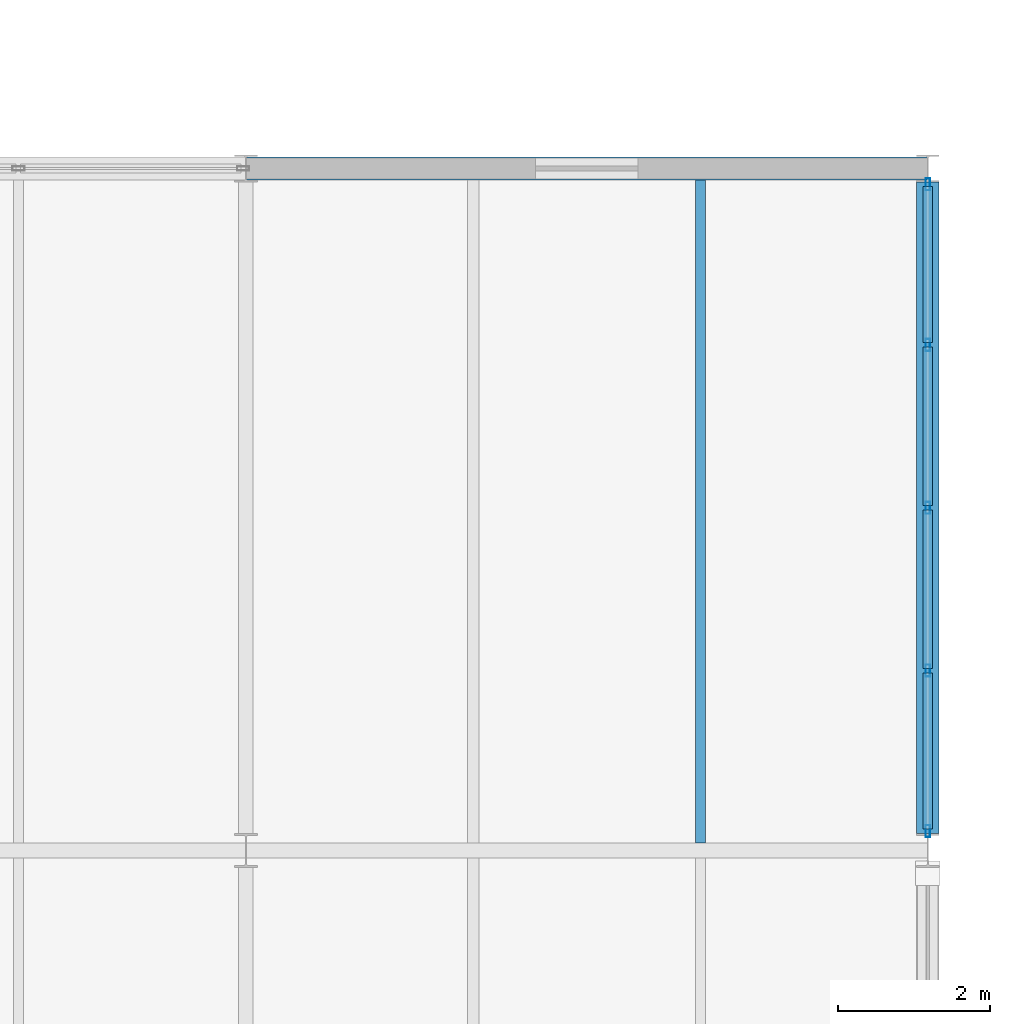
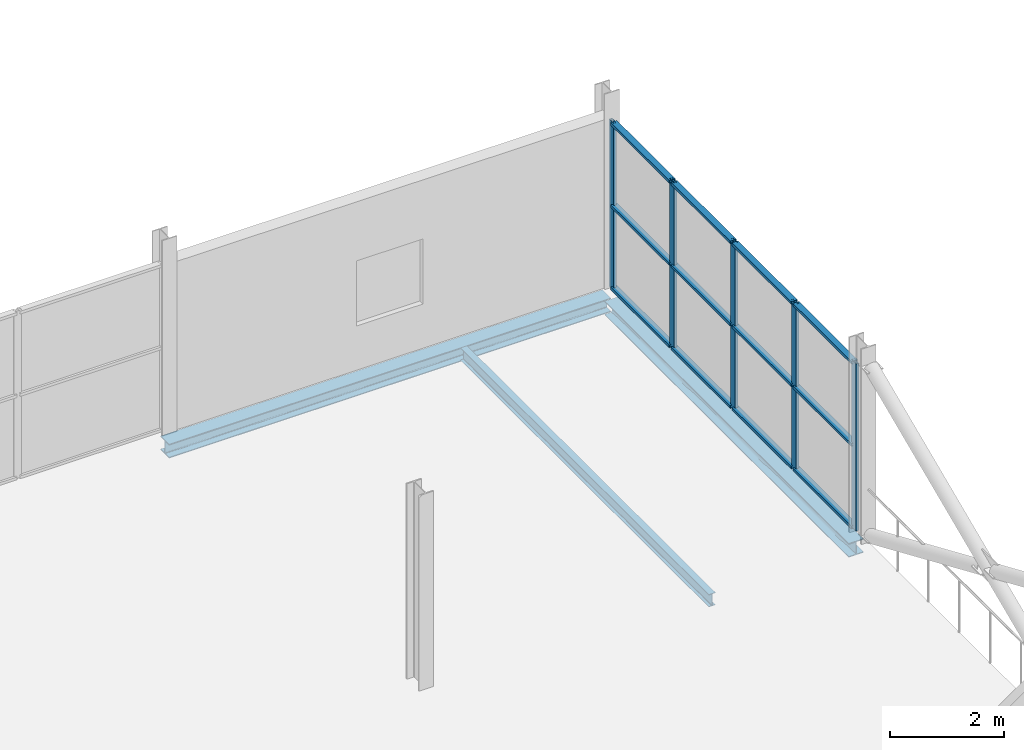
# One storey, part 100 of 135: 17 members, 3 beams, 1 element without a shape of its own.
"""IFC4 building model written with IfcOpenShell, lengths in metres."""

from ifc_helpers import new_model, si_unit, direction, frame, origin, origin_2d, place, context, subcontext, project, spatial, hollow_rectangle, i_section, extrude, material, layer, layer_set, material_profile, profile_set, type_object, element, aggregate, save


model = new_model("IFC4")

# Units and contexts
model_context = context("Model", 3, precision=1e-05, world=origin(), true_north=direction((0.0, 1.0)))
body_context = subcontext(model_context, "Body", "Model", "MODEL_VIEW")
ifc_project = project(units=[si_unit("LENGTHUNIT", "METRE"), si_unit("AREAUNIT", "SQUARE_METRE"), si_unit("VOLUMEUNIT", "CUBIC_METRE"), si_unit("PLANEANGLEUNIT", "RADIAN"), si_unit("MASSUNIT", "GRAM", prefix="KILO")], contexts=[model_context])

# Site, building, storey
site_placement = place(None, origin())
site = spatial("IfcSite", under=ifc_project, at=site_placement, CompositionType="ELEMENT")
building_placement = place(site_placement, origin())
building = spatial("IfcBuilding", under=site, at=building_placement, Name="Deido Ridge Mobility Hub", CompositionType="ELEMENT")
storey_placement = place(building_placement, frame((0.0, 0.0, 4.199951171875)))
storey = spatial("IfcBuildingStorey", under=building, at=storey_placement, Name="L01", CompositionType="ELEMENT", Elevation=4.199951171875)

# Beam
ifc_material_1 = material(Name="Steel S355J2 EN 10025-2", Category="steel")
ifc_material_profile_1 = material_profile(ifc_material_1, i_section(OverallWidth=0.135009765625, OverallDepth=0.27001953125, WebThickness=0.006591796875, FlangeThickness=0.01025390625, FilletRadius=0.014892578125, at=origin_2d()), Name="IPE 270")
ifc_profile_set_1 = profile_set([ifc_material_profile_1], Name="Steel S355J2 EN 10025-2")
beam_type_1 = type_object("IfcBeamType", Name="JST-IPE270", PredefinedType="JOIST", material=ifc_profile_set_1)
beam_1_placement = place(storey_placement, frame((177.0, 63.10009765625, -0.385009765625), z_axis=(0.0, 1.0, 0.0), x_axis=(-1.0, 0.0, 0.0)))
element("IfcBeam", 1, at=beam_1_placement, inside=storey, type_object=beam_type_1, Name="Composite joist J4", PredefinedType="JOIST", context=body_context, shape_type="SweptSolid", body=[
    extrude(i_section(OverallWidth=0.135009765625, OverallDepth=0.27001953125, WebThickness=0.006591796875, FlangeThickness=0.01025390625, FilletRadius=0.014892578125, at=origin_2d()), origin(), (0.0, 0.0, 1.0), 8.75),
])

# Curtain wall, members
ifc_material_2 = material(Name="Anodised aluminium EN AW-6063 T6", Category="aluminium")
ifc_layer = layer(ifc_material_2, 0.195068359375, Name="Anodised aluminium EN AW-6063 T6")
ifc_layer_set = layer_set([ifc_layer], Name="Anodised aluminium EN AW-6063 T6")
curtain_wall_type = type_object("IfcCurtainWallType", Name="CW-UF-3", PredefinedType="USERDEFINED", material=ifc_layer_set)
curtain_wall_placement = place(storey_placement, origin())
curtain_wall = element("IfcCurtainWall", 2, at=curtain_wall_placement, inside=storey, type_object=curtain_wall_type, Name="Unitised curtain wall CW3", ObjectType="UNITISED FACADE", PredefinedType="USERDEFINED")
ifc_material_profile_2 = material_profile(ifc_material_2, hollow_rectangle(XDim=0.06005859375, YDim=0.159912109375, WallThickness=0.00390625, at=origin_2d()), Name="RHS 60x160x4")
ifc_profile_set_2 = profile_set([ifc_material_profile_2], Name="Anodised aluminium EN AW-6063 T6")
member_type_1 = type_object("IfcMemberType", Name="MEM-MUL-60X160", PredefinedType="MULLION", material=ifc_profile_set_2)
member_1_placement = place(storey_placement, frame((180.0, 63.2548828125, 0.0), z_axis=(0.0, 0.0, 1.0), x_axis=(-1.0, 0.0, 0.0)))
member_1 = element("IfcMember", 3, at=member_1_placement, type_object=member_type_1, Name="CW3 mullion 1", PredefinedType="MULLION", context=body_context, shape_type="SweptSolid", body=[
    extrude(hollow_rectangle(XDim=0.06005859375, YDim=0.159912109375, WallThickness=0.00390625, at=origin_2d()), origin(), (0.0, 0.0, 1.0), 3.60009765625),
])
member_2_placement = place(storey_placement, frame((180.0, 65.373779296875, 0.0), z_axis=(0.0, 0.0, 1.0), x_axis=(-1.0, 0.0, 0.0)))
member_2 = element("IfcMember", 4, at=member_2_placement, type_object=member_type_1, Name="CW3 mullion 2", PredefinedType="MULLION", context=body_context, shape_type="SweptSolid", body=[
    extrude(hollow_rectangle(XDim=0.06005859375, YDim=0.159912109375, WallThickness=0.00390625, at=origin_2d()), origin(), (0.0, 0.0, 1.0), 3.60009765625),
])
member_3_placement = place(storey_placement, frame((180.0, 67.5224609375, 0.0), z_axis=(0.0, 0.0, 1.0), x_axis=(-1.0, 0.0, 0.0)))
member_3 = element("IfcMember", 5, at=member_3_placement, type_object=member_type_1, Name="CW3 mullion 3", PredefinedType="MULLION", context=body_context, shape_type="SweptSolid", body=[
    extrude(hollow_rectangle(XDim=0.06005859375, YDim=0.159912109375, WallThickness=0.00390625, at=origin_2d()), origin(), (0.0, 0.0, 1.0), 3.60009765625),
])
member_4_placement = place(storey_placement, frame((180.0, 69.671142578125, 0.0), z_axis=(0.0, 0.0, 1.0), x_axis=(-1.0, 0.0, 0.0)))
member_4 = element("IfcMember", 6, at=member_4_placement, type_object=member_type_1, Name="CW3 mullion 4", PredefinedType="MULLION", context=body_context, shape_type="SweptSolid", body=[
    extrude(hollow_rectangle(XDim=0.06005859375, YDim=0.159912109375, WallThickness=0.00390625, at=origin_2d()), origin(), (0.0, 0.0, 1.0), 3.60009765625),
])
member_5_placement = place(storey_placement, frame((180.0, 71.7900390625, 0.0), z_axis=(0.0, 0.0, 1.0), x_axis=(-1.0, 0.0, 0.0)))
member_5 = element("IfcMember", 7, at=member_5_placement, type_object=member_type_1, Name="CW3 mullion 5", PredefinedType="MULLION", context=body_context, shape_type="SweptSolid", body=[
    extrude(hollow_rectangle(XDim=0.06005859375, YDim=0.159912109375, WallThickness=0.00390625, at=origin_2d()), origin(), (0.0, 0.0, 1.0), 3.60009765625),
])
ifc_material_profile_3 = material_profile(ifc_material_2, hollow_rectangle(XDim=0.125, YDim=0.06005859375, WallThickness=0.00390625, at=origin_2d()), Name="RHS 125x60x4")
ifc_profile_set_3 = profile_set([ifc_material_profile_3], Name="Anodised aluminium EN AW-6063 T6")
member_type_2 = type_object("IfcMemberType", Name="MEM-TRN-125X60", PredefinedType="USERDEFINED", material=ifc_profile_set_3)
member_6_placement = place(storey_placement, frame((180.0, 63.284912109375, 0.030029296875), z_axis=(0.0, 1.0, 0.0), x_axis=(-1.0, 0.0, 0.0)))
member_6 = element("IfcMember", 8, at=member_6_placement, type_object=member_type_2, Name="CW3 transom 1.1", ObjectType="TRANSOM", PredefinedType="USERDEFINED", context=body_context, shape_type="SweptSolid", body=[
    extrude(hollow_rectangle(XDim=0.125, YDim=0.06005859375, WallThickness=0.00390625, at=origin_2d()), origin(), (0.0, 0.0, 1.0), 2.058837890625),
])
member_7_placement = place(storey_placement, frame((180.0, 63.284912109375, 1.800048828125), z_axis=(0.0, 1.0, 0.0), x_axis=(-1.0, 0.0, 0.0)))
member_7 = element("IfcMember", 9, at=member_7_placement, type_object=member_type_2, Name="CW3 transom 1.2", ObjectType="TRANSOM", PredefinedType="USERDEFINED", context=body_context, shape_type="SweptSolid", body=[
    extrude(hollow_rectangle(XDim=0.125, YDim=0.06005859375, WallThickness=0.00390625, at=origin_2d()), origin(), (0.0, 0.0, 1.0), 2.058837890625),
])
member_8_placement = place(storey_placement, frame((180.0, 63.284912109375, 3.570068359375), z_axis=(0.0, 1.0, 0.0), x_axis=(-1.0, 0.0, 0.0)))
member_8 = element("IfcMember", 10, at=member_8_placement, type_object=member_type_2, Name="CW3 transom 1.3", ObjectType="TRANSOM", PredefinedType="USERDEFINED", context=body_context, shape_type="SweptSolid", body=[
    extrude(hollow_rectangle(XDim=0.125, YDim=0.06005859375, WallThickness=0.00390625, at=origin_2d()), origin(), (0.0, 0.0, 1.0), 2.058837890625),
])
member_9_placement = place(storey_placement, frame((180.0, 65.40380859375, 0.030029296875), z_axis=(0.0, 1.0, 0.0), x_axis=(-1.0, 0.0, 0.0)))
member_9 = element("IfcMember", 11, at=member_9_placement, type_object=member_type_2, Name="CW3 transom 2.1", ObjectType="TRANSOM", PredefinedType="USERDEFINED", context=body_context, shape_type="SweptSolid", body=[
    extrude(hollow_rectangle(XDim=0.125, YDim=0.06005859375, WallThickness=0.00390625, at=origin_2d()), origin(), (0.0, 0.0, 1.0), 2.088623046875),
])
member_10_placement = place(storey_placement, frame((180.0, 65.40380859375, 1.800048828125), z_axis=(0.0, 1.0, 0.0), x_axis=(-1.0, 0.0, 0.0)))
member_10 = element("IfcMember", 12, at=member_10_placement, type_object=member_type_2, Name="CW3 transom 2.2", ObjectType="TRANSOM", PredefinedType="USERDEFINED", context=body_context, shape_type="SweptSolid", body=[
    extrude(hollow_rectangle(XDim=0.125, YDim=0.06005859375, WallThickness=0.00390625, at=origin_2d()), origin(), (0.0, 0.0, 1.0), 2.088623046875),
])
member_11_placement = place(storey_placement, frame((180.0, 65.40380859375, 3.570068359375), z_axis=(0.0, 1.0, 0.0), x_axis=(-1.0, 0.0, 0.0)))
member_11 = element("IfcMember", 13, at=member_11_placement, type_object=member_type_2, Name="CW3 transom 2.3", ObjectType="TRANSOM", PredefinedType="USERDEFINED", context=body_context, shape_type="SweptSolid", body=[
    extrude(hollow_rectangle(XDim=0.125, YDim=0.06005859375, WallThickness=0.00390625, at=origin_2d()), origin(), (0.0, 0.0, 1.0), 2.088623046875),
])
member_12_placement = place(storey_placement, frame((180.0, 67.552490234375, 0.030029296875), z_axis=(0.0, 1.0, 0.0), x_axis=(-1.0, 0.0, 0.0)))
member_12 = element("IfcMember", 14, at=member_12_placement, type_object=member_type_2, Name="CW3 transom 3.1", ObjectType="TRANSOM", PredefinedType="USERDEFINED", context=body_context, shape_type="SweptSolid", body=[
    extrude(hollow_rectangle(XDim=0.125, YDim=0.06005859375, WallThickness=0.00390625, at=origin_2d()), origin(), (0.0, 0.0, 1.0), 2.0888671875),
])
member_13_placement = place(storey_placement, frame((180.0, 67.552490234375, 1.800048828125), z_axis=(0.0, 1.0, 0.0), x_axis=(-1.0, 0.0, 0.0)))
member_13 = element("IfcMember", 15, at=member_13_placement, type_object=member_type_2, Name="CW3 transom 3.2", ObjectType="TRANSOM", PredefinedType="USERDEFINED", context=body_context, shape_type="SweptSolid", body=[
    extrude(hollow_rectangle(XDim=0.125, YDim=0.06005859375, WallThickness=0.00390625, at=origin_2d()), origin(), (0.0, 0.0, 1.0), 2.0888671875),
])
member_14_placement = place(storey_placement, frame((180.0, 67.552490234375, 3.570068359375), z_axis=(0.0, 1.0, 0.0), x_axis=(-1.0, 0.0, 0.0)))
member_14 = element("IfcMember", 16, at=member_14_placement, type_object=member_type_2, Name="CW3 transom 3.3", ObjectType="TRANSOM", PredefinedType="USERDEFINED", context=body_context, shape_type="SweptSolid", body=[
    extrude(hollow_rectangle(XDim=0.125, YDim=0.06005859375, WallThickness=0.00390625, at=origin_2d()), origin(), (0.0, 0.0, 1.0), 2.0888671875),
])
member_15_placement = place(storey_placement, frame((180.0, 69.701171875, 0.030029296875), z_axis=(0.0, 1.0, 0.0), x_axis=(-1.0, 0.0, 0.0)))
member_15 = element("IfcMember", 17, at=member_15_placement, type_object=member_type_2, Name="CW3 transom 4.1", ObjectType="TRANSOM", PredefinedType="USERDEFINED", context=body_context, shape_type="SweptSolid", body=[
    extrude(hollow_rectangle(XDim=0.125, YDim=0.06005859375, WallThickness=0.00390625, at=origin_2d()), origin(), (0.0, 0.0, 1.0), 2.058837890625),
])
member_16_placement = place(storey_placement, frame((180.0, 69.701171875, 1.800048828125), z_axis=(0.0, 1.0, 0.0), x_axis=(-1.0, 0.0, 0.0)))
member_16 = element("IfcMember", 18, at=member_16_placement, type_object=member_type_2, Name="CW3 transom 4.2", ObjectType="TRANSOM", PredefinedType="USERDEFINED", context=body_context, shape_type="SweptSolid", body=[
    extrude(hollow_rectangle(XDim=0.125, YDim=0.06005859375, WallThickness=0.00390625, at=origin_2d()), origin(), (0.0, 0.0, 1.0), 2.058837890625),
])
member_17_placement = place(storey_placement, frame((180.0, 69.701171875, 3.570068359375), z_axis=(0.0, 1.0, 0.0), x_axis=(-1.0, 0.0, 0.0)))
member_17 = element("IfcMember", 19, at=member_17_placement, type_object=member_type_2, Name="CW3 transom 4.3", ObjectType="TRANSOM", PredefinedType="USERDEFINED", context=body_context, shape_type="SweptSolid", body=[
    extrude(hollow_rectangle(XDim=0.125, YDim=0.06005859375, WallThickness=0.00390625, at=origin_2d()), origin(), (0.0, 0.0, 1.0), 2.058837890625),
])
aggregate(curtain_wall, [member_1, member_2, member_3, member_4, member_5, member_6, member_7, member_8, member_9, member_10, member_11, member_12, member_13, member_14, member_15, member_16, member_17])

# Beams
ifc_material_profile_4 = material_profile(ifc_material_1, i_section(OverallWidth=0.300048828125, OverallDepth=0.300048828125, WebThickness=0.010986328125, FlangeThickness=0.01904296875, FilletRadius=0.027099609375, at=origin_2d()), Name="HEB 300")
ifc_profile_set_4 = profile_set([ifc_material_profile_4], Name="Steel S355J2 EN 10025-2")
beam_type_2 = type_object("IfcBeamType", Name="SPD-HEB300", PredefinedType="SPANDREL", material=ifc_profile_set_4)
beam_2_placement = place(storey_placement, frame((171.006103515625, 72.0, -0.39990234375), z_axis=(1.0, 0.0, 0.0), x_axis=(0.0, 1.0, 0.0)))
element("IfcBeam", 20, at=beam_2_placement, inside=storey, type_object=beam_type_2, Name="Floor beam SP1", PredefinedType="SPANDREL", context=body_context, shape_type="SweptSolid", body=[
    extrude(i_section(OverallWidth=0.300048828125, OverallDepth=0.300048828125, WebThickness=0.010986328125, FlangeThickness=0.01904296875, FilletRadius=0.027099609375, at=origin_2d()), origin(), (0.0, 0.0, 1.0), 8.98779296875),
])
beam_3_placement = place(storey_placement, frame((180.0, 63.22509765625, -0.39990234375), z_axis=(0.0, 1.0, 0.0), x_axis=(-1.0, 0.0, 0.0)))
element("IfcBeam", 21, at=beam_3_placement, inside=storey, type_object=beam_type_2, Name="Floor beam SP1", PredefinedType="SPANDREL", context=body_context, shape_type="SweptSolid", body=[
    extrude(i_section(OverallWidth=0.300048828125, OverallDepth=0.300048828125, WebThickness=0.010986328125, FlangeThickness=0.01904296875, FilletRadius=0.027099609375, at=origin_2d()), origin(), (0.0, 0.0, 1.0), 8.594970703125),
])

save(model, "model.ifc")
